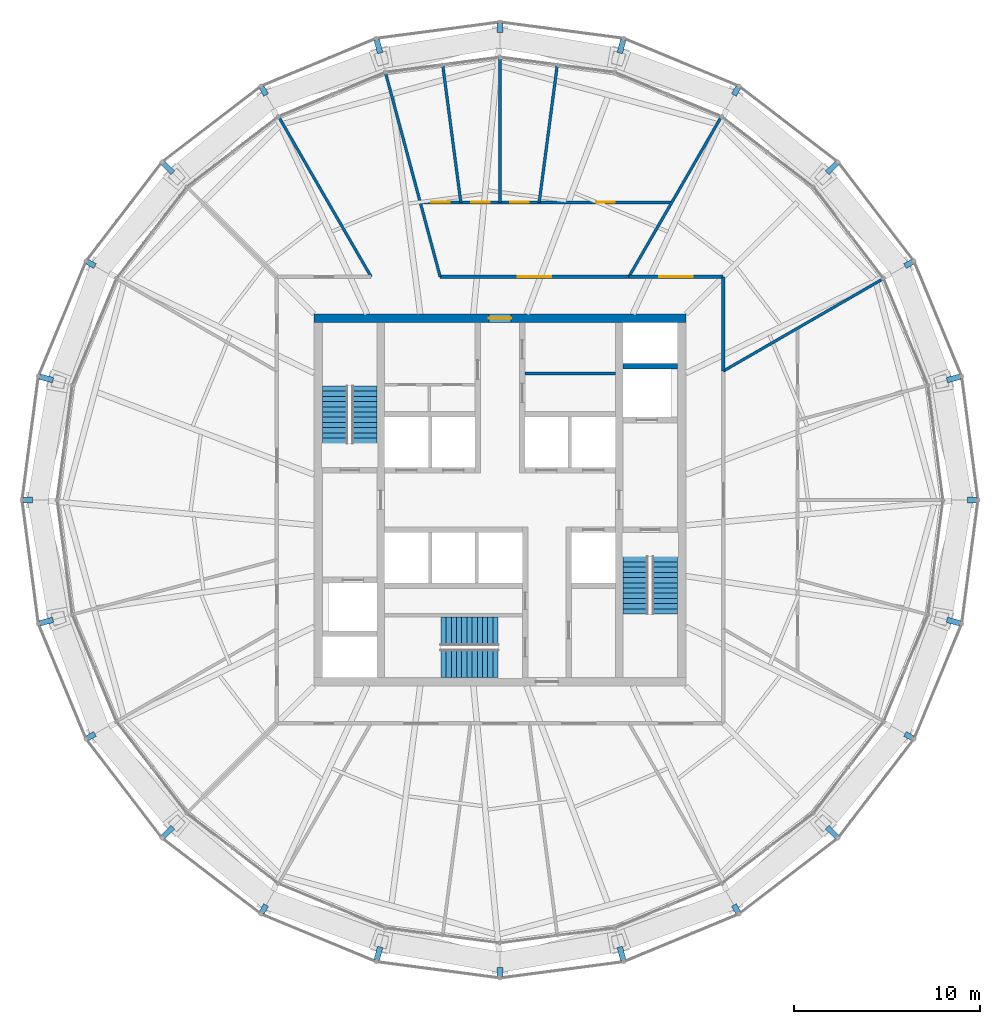
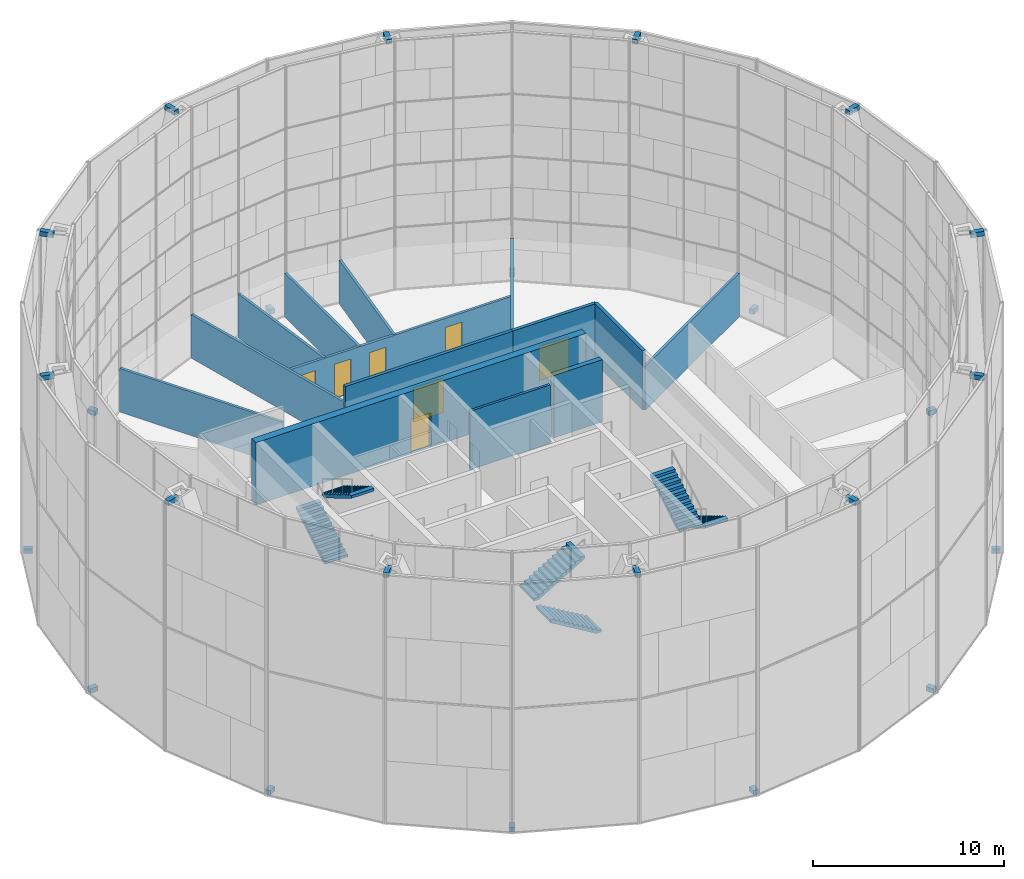
# One storey, part 27 of 28: 24 discrete accessories, 14 walls, 7 doors, 6 stair flights, 7 openings, 3 elements without a shape of their own.
"""IFC4 building model written with IfcOpenShell, lengths in metres."""

from ifc_helpers import new_model, si_unit, direction, frame, frame_2d, origin, origin_2d, place, context, subcontext, project, spatial, polyline, rectangle, outline, extrude, material, layer, layer_set, type_object, element, fill, aggregate, save


model = new_model("IFC4")

# Units and contexts
model_context = context("Model", 3, precision=1e-05, world=origin(), true_north=direction((0.0, 1.0)))
body_context = subcontext(model_context, "Body", "Model", "MODEL_VIEW")
ifc_project = project(units=[si_unit("LENGTHUNIT", "METRE"), si_unit("AREAUNIT", "SQUARE_METRE"), si_unit("VOLUMEUNIT", "CUBIC_METRE"), si_unit("PLANEANGLEUNIT", "RADIAN"), si_unit("MASSUNIT", "GRAM", prefix="KILO")], contexts=[model_context])

# Site, building, storey
site_placement = place(None, origin())
site = spatial("IfcSite", under=ifc_project, at=site_placement, CompositionType="ELEMENT")
building_placement = place(site_placement, origin())
building = spatial("IfcBuilding", under=site, at=building_placement, Name="Golbaran Civic Tower", CompositionType="ELEMENT")
storey_placement = place(building_placement, frame((0.0, 0.0, 183.0)))
storey = spatial("IfcBuildingStorey", under=building, at=storey_placement, Name="L44", CompositionType="ELEMENT", Elevation=183.0)

# Wall
ifc_material_1 = material(Name="Concrete block", Category="concrete")
ifc_layer_1 = layer(ifc_material_1, 0.14990234375, Name="Concrete block")
ifc_layer_set_1 = layer_set([ifc_layer_1], Name="Concrete block")
wall_type_1 = type_object("IfcWallType", Name="BLOCKWORK PARTITION 150", PredefinedType="PARTITIONING", material=ifc_layer_set_1)
wall_1_placement = place(storey_placement, frame((1.35009765625, 6.800048828125, 0.0), z_axis=(0.0, 0.0, 1.0), x_axis=(1.0, 0.0, 0.0)))
element("IfcWall", 1, at=wall_1_placement, inside=storey, type_object=wall_type_1, Name="Toilet block partition TN1 L44", PredefinedType="PARTITIONING", context=body_context, shape_type="SweptSolid", body=[
    extrude(rectangle(XDim=4.849853515625, YDim=0.14990234375, at=frame_2d((2.4248046875, 0.0))), origin(), (0.0, 0.0, 1.0), 3.75),
])

# Wall, opening, door
ifc_material_2 = material(Name="Concrete C50/60", Category="concrete")
ifc_layer_2 = layer(ifc_material_2, 0.449951171875, Name="Concrete C50/60")
ifc_layer_set_2 = layer_set([ifc_layer_2], Name="Concrete C50/60")
wall_type_2 = type_object("IfcWallType", Name="CORE WALL CONCRETE 450", PredefinedType="SOLIDWALL", material=ifc_layer_set_2)
wall_2_placement = place(storey_placement, frame((-10.0, 9.77490234375, 0.0), z_axis=(0.0, 0.0, 1.0), x_axis=(1.0, 0.0, 0.0)))
wall_2 = element("IfcWall", 2, at=wall_2_placement, inside=storey, type_object=wall_type_2, Name="Core wall CN L44", PredefinedType="SOLIDWALL", context=body_context, shape_type="SweptSolid", body=[
    extrude(rectangle(XDim=20.0, YDim=0.449951171875, at=frame_2d((10.0, 0.0))), origin(), (0.0, 0.0, 1.0), 4.0),
])
opening_1_placement = place(wall_2_placement, frame((9.39990234375, 0.0, 0.0)))
opening_1 = element("IfcOpeningElement", 3, at=opening_1_placement, cuts=wall_2, Name="Opening L44.CN", PredefinedType="OPENING", context=body_context, shape_type="SweptSolid", body=[
    extrude(rectangle(XDim=1.199951171875, YDim=2.199951171875, at=frame_2d((0.60009765625, 1.10009765625))), frame((0.0, 0.23486328125, 0.0), z_axis=(0.0, -1.0, 0.0), x_axis=(1.0, 0.0, 0.0)), (0.0, 0.0, 1.0), 0.469970703125),
])
ifc_material_3 = material(Name="Timber door set in steel frame", Category="steel")
door_type_1 = type_object("IfcDoorType", Name="CORE DOOR 1200x2200", OperationType="DOUBLE_DOOR_SINGLE_SWING", PredefinedType="DOOR", material=ifc_material_3)
door_1_placement = place(opening_1_placement, origin())
door_1 = element("IfcDoor", 4, at=door_1_placement, inside=storey, type_object=door_type_1, Name="Core door north", OperationType="DOUBLE_DOOR_SINGLE_SWING", OverallHeight=2.199951171875, OverallWidth=1.199951171875, PredefinedType="DOOR", context=body_context, shape_type="SweptSolid", body=[
    extrude(rectangle(XDim=1.199951171875, YDim=2.199951171875, at=frame_2d((0.60009765625, 1.10009765625))), frame((0.0, 0.02490234375, 0.0), z_axis=(0.0, -1.0, 0.0), x_axis=(1.0, 0.0, 0.0)), (0.0, 0.0, 1.0), 0.050048828125),
])
fill(opening_1, door_1)

# Wall
ifc_material_4 = material(Name="Gypsum board on steel studs, fire-rated", Category="steel")
ifc_layer_3 = layer(ifc_material_4, 0.199951171875, Name="Gypsum board on steel studs, fire-rated")
ifc_layer_set_3 = layer_set([ifc_layer_3], Name="Gypsum board on steel studs, fire-rated")
wall_type_3 = type_object("IfcWallType", Name="CORRIDOR WALL 200", PredefinedType="PARTITIONING", material=ifc_layer_set_3)
wall_3_placement = place(storey_placement, frame((12.0, 6.92822265625, 0.0), z_axis=(0.0, 0.0, 1.0), x_axis=(0.0, 1.0, 0.0)))
element("IfcWall", 5, at=wall_3_placement, inside=storey, type_object=wall_type_3, Name="Corridor wall L44", PredefinedType="PARTITIONING", context=body_context, shape_type="SweptSolid", body=[
    extrude(rectangle(XDim=5.07177734375, YDim=0.199951171875, at=frame_2d((2.535888671875, 0.0))), origin(), (0.0, 0.0, 1.0), 3.800048828125),
])

# Wall, opening, door
wall_4_placement = place(storey_placement, frame((12.0, 12.0, 0.0), z_axis=(0.0, 0.0, 1.0), x_axis=(-1.0, 0.0, 0.0)))
wall_4 = element("IfcWall", 6, at=wall_4_placement, inside=storey, type_object=wall_type_3, Name="Corridor wall L44", PredefinedType="PARTITIONING", context=body_context, shape_type="SweptSolid", body=[
    extrude(rectangle(XDim=5.07177734375, YDim=0.199951171875, at=frame_2d((2.535888671875, 0.0))), origin(), (0.0, 0.0, 1.0), 3.800048828125),
])
opening_2_placement = place(wall_4_placement, frame((1.635986328125, 0.0, 0.0)))
opening_2 = element("IfcOpeningElement", 7, at=opening_2_placement, cuts=wall_4, Name="Opening L44.10", PredefinedType="OPENING", context=body_context, shape_type="SweptSolid", body=[
    extrude(rectangle(XDim=1.800048828125, YDim=2.199951171875, at=frame_2d((0.89990234375, 1.10009765625))), frame((0.0, 0.10986328125, 0.0), z_axis=(0.0, -1.0, 0.0), x_axis=(1.0, 0.0, 0.0)), (0.0, 0.0, 1.0), 0.219970703125),
])
door_type_2 = type_object("IfcDoorType", Name="OFFICE DOUBLE DOOR 1800x2200", OperationType="DOUBLE_DOOR_SINGLE_SWING", PredefinedType="DOOR", material=ifc_material_3)
door_2_placement = place(opening_2_placement, origin())
door_2 = element("IfcDoor", 8, at=door_2_placement, inside=storey, type_object=door_type_2, Name="Open Office door L44", OperationType="DOUBLE_DOOR_SINGLE_SWING", OverallHeight=2.199951171875, OverallWidth=1.800048828125, PredefinedType="DOOR", context=body_context, shape_type="SweptSolid", body=[
    extrude(rectangle(XDim=1.800048828125, YDim=2.199951171875, at=frame_2d((0.89990234375, 1.10009765625))), frame((0.0, 0.02490234375, 0.0), z_axis=(0.0, -1.0, 0.0), x_axis=(1.0, 0.0, 0.0)), (0.0, 0.0, 1.0), 0.050048828125),
])
fill(opening_2, door_2)

wall_5_placement = place(storey_placement, frame((6.92822265625, 12.0, 0.0), z_axis=(0.0, 0.0, 1.0), x_axis=(-1.0, 0.0, 0.0)))
wall_5 = element("IfcWall", 9, at=wall_5_placement, inside=storey, type_object=wall_type_3, Name="Corridor wall L44", PredefinedType="PARTITIONING", context=body_context, shape_type="SweptSolid", body=[
    extrude(rectangle(XDim=10.1435546875, YDim=0.199951171875, at=frame_2d((5.07177734375, 0.0))), origin(), (0.0, 0.0, 1.0), 3.800048828125),
])
opening_3_placement = place(wall_5_placement, frame((4.171875, 0.0, 0.0)))
opening_3 = element("IfcOpeningElement", 10, at=opening_3_placement, cuts=wall_5, Name="Opening L44.11", PredefinedType="OPENING", context=body_context, shape_type="SweptSolid", body=[
    extrude(rectangle(XDim=1.800048828125, YDim=2.199951171875, at=frame_2d((0.89990234375, 1.10009765625))), frame((0.0, 0.10986328125, 0.0), z_axis=(0.0, -1.0, 0.0), x_axis=(1.0, 0.0, 0.0)), (0.0, 0.0, 1.0), 0.219970703125),
])
door_3_placement = place(opening_3_placement, origin())
door_3 = element("IfcDoor", 11, at=door_3_placement, inside=storey, type_object=door_type_2, Name="Secretariat door L44", OperationType="DOUBLE_DOOR_SINGLE_SWING", OverallHeight=2.199951171875, OverallWidth=1.800048828125, PredefinedType="DOOR", context=body_context, shape_type="SweptSolid", body=[
    extrude(rectangle(XDim=1.800048828125, YDim=2.199951171875, at=frame_2d((0.89990234375, 1.10009765625))), frame((0.0, 0.02490234375, 0.0), z_axis=(0.0, -1.0, 0.0), x_axis=(1.0, 0.0, 0.0)), (0.0, 0.0, 1.0), 0.050048828125),
])
fill(opening_3, door_3)

# Walls
ifc_material_5 = material(Name="Gypsum board on steel studs", Category="steel")
ifc_layer_4 = layer(ifc_material_5, 0.14990234375, Name="Gypsum board on steel studs")
ifc_layer_set_4 = layer_set([ifc_layer_4], Name="Gypsum board on steel studs")
wall_type_4 = type_object("IfcWallType", Name="OFFICE PARTITION 150", PredefinedType="PARTITIONING", material=ifc_layer_set_4)
for number, where, z_axis, x_axis, name in (
    (12, (12.0, 6.92822265625, 0.0), (0.0, 0.0, 1.0), (0.866027739639, 0.49999595416, 0.0), "Partition 30 L44"),
    (13, (6.92822265625, 12.0, 0.0), (0.0, 0.0, 1.0), (0.49999595416, 0.866027739639, 0.0), "Partition 60 L44"),
):
    element("IfcWall", number, at=place(storey_placement, frame(where, z_axis=z_axis, x_axis=x_axis)), inside=storey, type_object=wall_type_4, Name=name, PredefinedType="PARTITIONING", context=body_context, shape_type="SweptSolid", body=[
        extrude(rectangle(XDim=9.86474609375, YDim=0.14990234375, at=frame_2d((4.932373046875, 0.0))), origin(), (0.0, 0.0, 1.0), 2.7900390625),
    ])
wall_6_placement = place(storey_placement, frame((-3.21533203125, 12.0, 0.0), z_axis=(0.0, 0.0, 1.0), x_axis=(-0.258817816178, 0.965926155577, 0.0)))
element("IfcWall", 14, at=wall_6_placement, inside=storey, type_object=wall_type_4, Name="Partition 105 L44", PredefinedType="PARTITIONING", context=body_context, shape_type="SweptSolid", body=[
    extrude(rectangle(XDim=11.2978515625, YDim=0.14990234375, at=frame_2d((5.64892578125, 0.0))), origin(), (0.0, 0.0, 1.0), 2.7900390625),
])
wall_7_placement = place(storey_placement, frame((-6.92822265625, 12.0, 0.0), z_axis=(0.0, 0.0, 1.0), x_axis=(-0.49999595416, 0.866027739639, 0.0)))
element("IfcWall", 15, at=wall_7_placement, inside=storey, type_object=wall_type_4, Name="Partition 120 L44", PredefinedType="PARTITIONING", context=body_context, shape_type="SweptSolid", body=[
    extrude(rectangle(XDim=9.86474609375, YDim=0.14990234375, at=frame_2d((4.932373046875, 0.0))), origin(), (0.0, 0.0, 1.0), 2.7900390625),
])

# Wall, openings, doors
wall_8_placement = place(storey_placement, frame((9.237548828125, 16.0, 0.0), z_axis=(0.0, 0.0, 1.0), x_axis=(-1.0, 0.0, 0.0)))
wall_8 = element("IfcWall", 16, at=wall_8_placement, inside=storey, type_object=wall_type_4, Name="Suite partition L44", PredefinedType="PARTITIONING", context=body_context, shape_type="SweptSolid", body=[
    extrude(rectangle(XDim=13.524658203125, YDim=0.14990234375, at=frame_2d((6.76220703125, 0.0))), origin(), (0.0, 0.0, 1.0), 2.7900390625),
])
opening_4_placement = place(wall_8_placement, frame((3.065673828125, 0.0, 0.0)))
opening_4 = element("IfcOpeningElement", 17, at=opening_4_placement, cuts=wall_8, Name="Opening L44.05", PredefinedType="OPENING", context=body_context, shape_type="SweptSolid", body=[
    extrude(rectangle(XDim=1.0, YDim=2.199951171875, at=frame_2d((0.5, 1.10009765625))), frame((0.0, 0.0849609375, 0.0), z_axis=(0.0, -1.0, 0.0), x_axis=(1.0, 0.0, 0.0)), (0.0, 0.0, 1.0), 0.169921875),
])
opening_5_placement = place(wall_8_placement, frame((7.684326171875, 0.0, 0.0)))
opening_5 = element("IfcOpeningElement", 18, at=opening_5_placement, cuts=wall_8, Name="Opening L44.06", PredefinedType="OPENING", context=body_context, shape_type="SweptSolid", body=[
    extrude(rectangle(XDim=1.0, YDim=2.199951171875, at=frame_2d((0.5, 1.10009765625))), frame((0.0, 0.0849609375, 0.0), z_axis=(0.0, -1.0, 0.0), x_axis=(1.0, 0.0, 0.0)), (0.0, 0.0, 1.0), 0.169921875),
])
opening_6_placement = place(wall_8_placement, frame((9.790771484375, 0.0, 0.0)))
opening_6 = element("IfcOpeningElement", 19, at=opening_6_placement, cuts=wall_8, Name="Opening L44.07", PredefinedType="OPENING", context=body_context, shape_type="SweptSolid", body=[
    extrude(rectangle(XDim=1.0, YDim=2.199951171875, at=frame_2d((0.5, 1.10009765625))), frame((0.0, 0.0849609375, 0.0), z_axis=(0.0, -1.0, 0.0), x_axis=(1.0, 0.0, 0.0)), (0.0, 0.0, 1.0), 0.169921875),
])
opening_7_placement = place(wall_8_placement, frame((11.934326171875, 0.0, 0.0)))
opening_7 = element("IfcOpeningElement", 20, at=opening_7_placement, cuts=wall_8, Name="Opening L44.08", PredefinedType="OPENING", context=body_context, shape_type="SweptSolid", body=[
    extrude(rectangle(XDim=1.0, YDim=2.199951171875, at=frame_2d((0.5, 1.10009765625))), frame((0.0, 0.0849609375, 0.0), z_axis=(0.0, -1.0, 0.0), x_axis=(1.0, 0.0, 0.0)), (0.0, 0.0, 1.0), 0.169921875),
])
door_type_3 = type_object("IfcDoorType", Name="OFFICE DOOR 1000x2200", OperationType="SINGLE_SWING_LEFT", PredefinedType="DOOR", material=ifc_material_3)
door_4_placement = place(opening_4_placement, origin())
door_4 = element("IfcDoor", 21, at=door_4_placement, inside=storey, type_object=door_type_3, Name="Director's Office door L44", OperationType="SINGLE_SWING_LEFT", OverallHeight=2.199951171875, OverallWidth=1.0, PredefinedType="DOOR", context=body_context, shape_type="SweptSolid", body=[
    extrude(rectangle(XDim=1.0, YDim=2.199951171875, at=frame_2d((0.5, 1.10009765625))), frame((0.0, 0.02490234375, 0.0), z_axis=(0.0, -1.0, 0.0), x_axis=(1.0, 0.0, 0.0)), (0.0, 0.0, 1.0), 0.050048828125),
])
fill(opening_4, door_4)
door_5_placement = place(opening_5_placement, origin())
door_5 = element("IfcDoor", 22, at=door_5_placement, inside=storey, type_object=door_type_3, Name="Director's Office door L44", OperationType="SINGLE_SWING_RIGHT", OverallHeight=2.199951171875, OverallWidth=1.0, PredefinedType="DOOR", context=body_context, shape_type="SweptSolid", body=[
    extrude(rectangle(XDim=1.0, YDim=2.199951171875, at=frame_2d((0.5, 1.10009765625))), frame((0.0, 0.02490234375, 0.0), z_axis=(0.0, -1.0, 0.0), x_axis=(1.0, 0.0, 0.0)), (0.0, 0.0, 1.0), 0.050048828125),
])
fill(opening_5, door_5)
door_6_placement = place(opening_6_placement, origin())
door_6 = element("IfcDoor", 23, at=door_6_placement, inside=storey, type_object=door_type_3, Name="Office door L44", OperationType="SINGLE_SWING_RIGHT", OverallHeight=2.199951171875, OverallWidth=1.0, PredefinedType="DOOR", context=body_context, shape_type="SweptSolid", body=[
    extrude(rectangle(XDim=1.0, YDim=2.199951171875, at=frame_2d((0.5, 1.10009765625))), frame((0.0, 0.02490234375, 0.0), z_axis=(0.0, -1.0, 0.0), x_axis=(1.0, 0.0, 0.0)), (0.0, 0.0, 1.0), 0.050048828125),
])
fill(opening_6, door_6)
door_7_placement = place(opening_7_placement, origin())
door_7 = element("IfcDoor", 24, at=door_7_placement, inside=storey, type_object=door_type_3, Name="Office door L44", OperationType="SINGLE_SWING_RIGHT", OverallHeight=2.199951171875, OverallWidth=1.0, PredefinedType="DOOR", context=body_context, shape_type="SweptSolid", body=[
    extrude(rectangle(XDim=1.0, YDim=2.199951171875, at=frame_2d((0.5, 1.10009765625))), frame((0.0, 0.02490234375, 0.0), z_axis=(0.0, -1.0, 0.0), x_axis=(1.0, 0.0, 0.0)), (0.0, 0.0, 1.0), 0.050048828125),
])
fill(opening_7, door_7)

# Walls
wall_9_placement = place(storey_placement, frame((2.1064453125, 16.0, 0.0), z_axis=(0.0, 0.0, 1.0), x_axis=(0.130534093561, 0.991443821111, 0.0)))
element("IfcWall", 25, at=wall_9_placement, inside=storey, type_object=wall_type_4, Name="Partition 82.5 L44", PredefinedType="PARTITIONING", context=body_context, shape_type="SweptSolid", body=[
    extrude(rectangle(XDim=7.38037109375, YDim=0.14990234375, at=frame_2d((3.690185546875, 0.0))), origin(), (0.0, 0.0, 1.0), 2.7900390625),
])
wall_10_placement = place(storey_placement, frame((0.0, 16.0, 0.0), z_axis=(0.0, 0.0, 1.0), x_axis=(0.0, 1.0, 0.0)))
element("IfcWall", 26, at=wall_10_placement, inside=storey, type_object=wall_type_4, Name="Partition 90 L44", PredefinedType="PARTITIONING", context=body_context, shape_type="SweptSolid", body=[
    extrude(rectangle(XDim=7.72119140625, YDim=0.14990234375, at=frame_2d((3.860595703125, 0.0))), origin(), (0.0, 0.0, 1.0), 2.7900390625),
])
wall_11_placement = place(storey_placement, frame((-2.1064453125, 16.0, 0.0), z_axis=(0.0, 0.0, 1.0), x_axis=(-0.130534093561, 0.991443821111, 0.0)))
element("IfcWall", 27, at=wall_11_placement, inside=storey, type_object=wall_type_4, Name="Partition 97.5 L44", PredefinedType="PARTITIONING", context=body_context, shape_type="SweptSolid", body=[
    extrude(rectangle(XDim=7.38037109375, YDim=0.14990234375, at=frame_2d((3.690185546875, 0.0))), origin(), (0.0, 0.0, 1.0), 2.7900390625),
])
ifc_layer_5 = layer(ifc_material_2, 0.300048828125, Name="Concrete C50/60")
ifc_layer_set_5 = layer_set([ifc_layer_5], Name="Concrete C50/60")
wall_type_5 = type_object("IfcWallType", Name="SHAFT WALL CONCRETE 300", PredefinedType="SOLIDWALL", material=ifc_layer_set_5)
wall_12_placement = place(storey_placement, frame((6.60009765625, 7.199951171875, 0.0), z_axis=(0.0, 0.0, 1.0), x_axis=(1.0, 0.0, 0.0)))
element("IfcWall", 28, at=wall_12_placement, inside=storey, type_object=wall_type_5, Name="Core wall XE3 L44", PredefinedType="SOLIDWALL", context=body_context, shape_type="SweptSolid", body=[
    extrude(rectangle(XDim=2.949951171875, YDim=0.300048828125, at=frame_2d((1.47509765625, 0.0))), origin(), (0.0, 0.0, 1.0), 4.0),
])

# Stair, stair flights
ifc_material_6 = material(Name="Concrete C35/45", Category="concrete")
stair_type_1 = type_object("IfcStairType", Name="EXIT STAIR 2950 x 7800, 4000 RISE", PredefinedType="HALF_TURN_STAIR", material=ifc_material_6)
stair_1_placement = place(storey_placement, origin())
stair_1 = element("IfcStair", 29, at=stair_1_placement, inside=storey, type_object=stair_type_1, Name="Stair S1 L44", PredefinedType="HALF_TURN_STAIR")
stair_flight_type_1 = type_object("IfcStairFlightType", Name="STAIR FLIGHT 1375 WIDE", PredefinedType="STRAIGHT", material=ifc_material_6)
stair_flight_1_placement = place(storey_placement, frame((-8.862548828125, 3.050048828125, 0.0), z_axis=(0.0, 0.0, 1.0), x_axis=(0.0, 1.0, 0.0)))
stair_flight_1 = element("IfcStairFlight", 30, at=stair_flight_1_placement, type_object=stair_flight_type_1, Name="ST29578-40 flight 1", NumberOfRisers=12, NumberOfTreads=11, PredefinedType="STRAIGHT", RiserHeight=0.166666667, TreadLength=0.28, context=body_context, shape_type="SweptSolid", body=[
    extrude(outline(polyline([(0.0, 0.0), (0.0, 0.166748046875), (0.280029296875, 0.166748046875), (0.280029296875, 0.333251953125), (0.56005859375, 0.333251953125), (0.56005859375, 0.5), (0.840087890625, 0.5), (0.840087890625, 0.666748046875), (1.1201171875, 0.666748046875), (1.1201171875, 0.833251953125), (1.39990234375, 0.833251953125), (1.39990234375, 1.0), (1.679931640625, 1.0), (1.679931640625, 1.166748046875), (1.9599609375, 1.166748046875), (1.9599609375, 1.333251953125), (2.239990234375, 1.333251953125), (2.239990234375, 1.5), (2.52001953125, 1.5), (2.52001953125, 1.666748046875), (2.800048828125, 1.666748046875), (2.800048828125, 1.833251953125), (3.080078125, 1.833251953125), (3.080078125, 2.0), (3.080078125, 1.658935546875), (0.29296875, 0.0), (0.0, 0.0)])), frame((0.0, 0.6875, 0.0), z_axis=(0.0, -1.0, 0.0), x_axis=(1.0, 0.0, 0.0)), (0.0, 0.0, 1.0), 1.375),
])
stair_flight_2_placement = place(storey_placement, frame((-7.28759765625, 6.1298828125, 2.0), z_axis=(0.0, 0.0, 1.0), x_axis=(0.0, -1.0, 0.0)))
stair_flight_2 = element("IfcStairFlight", 31, at=stair_flight_2_placement, type_object=stair_flight_type_1, Name="ST29578-40 flight 2", NumberOfRisers=12, NumberOfTreads=11, PredefinedType="STRAIGHT", RiserHeight=0.166666667, TreadLength=0.28, context=body_context, shape_type="SweptSolid", body=[
    extrude(outline(polyline([(0.0, 0.0), (0.0, 0.166748046875), (0.280029296875, 0.166748046875), (0.280029296875, 0.333251953125), (0.56005859375, 0.333251953125), (0.56005859375, 0.5), (0.840087890625, 0.5), (0.840087890625, 0.666748046875), (1.1201171875, 0.666748046875), (1.1201171875, 0.833251953125), (1.39990234375, 0.833251953125), (1.39990234375, 1.0), (1.679931640625, 1.0), (1.679931640625, 1.166748046875), (1.9599609375, 1.166748046875), (1.9599609375, 1.333251953125), (2.239990234375, 1.333251953125), (2.239990234375, 1.5), (2.52001953125, 1.5), (2.52001953125, 1.666748046875), (2.800048828125, 1.666748046875), (2.800048828125, 1.833251953125), (3.080078125, 1.833251953125), (3.080078125, 2.0), (3.080078125, 1.658935546875), (0.29296875, 0.0), (0.0, 0.0)])), frame((0.0, 0.6875, 0.0), z_axis=(0.0, -1.0, 0.0), x_axis=(1.0, 0.0, 0.0)), (0.0, 0.0, 1.0), 1.375),
])
aggregate(stair_1, [stair_flight_1, stair_flight_2])

stair_2_placement = place(storey_placement, origin())
stair_2 = element("IfcStair", 32, at=stair_2_placement, inside=storey, type_object=stair_type_1, Name="Stair S2 L44", PredefinedType="HALF_TURN_STAIR")
stair_flight_3_placement = place(storey_placement, frame((8.862548828125, -3.050048828125, 0.0), z_axis=(0.0, 0.0, 1.0), x_axis=(0.0, -1.0, 0.0)))
stair_flight_3 = element("IfcStairFlight", 33, at=stair_flight_3_placement, type_object=stair_flight_type_1, Name="ST29578-40 flight 1", NumberOfRisers=12, NumberOfTreads=11, PredefinedType="STRAIGHT", RiserHeight=0.166666667, TreadLength=0.28, context=body_context, shape_type="SweptSolid", body=[
    extrude(outline(polyline([(0.0, 0.0), (0.0, 0.166748046875), (0.280029296875, 0.166748046875), (0.280029296875, 0.333251953125), (0.56005859375, 0.333251953125), (0.56005859375, 0.5), (0.840087890625, 0.5), (0.840087890625, 0.666748046875), (1.1201171875, 0.666748046875), (1.1201171875, 0.833251953125), (1.39990234375, 0.833251953125), (1.39990234375, 1.0), (1.679931640625, 1.0), (1.679931640625, 1.166748046875), (1.9599609375, 1.166748046875), (1.9599609375, 1.333251953125), (2.239990234375, 1.333251953125), (2.239990234375, 1.5), (2.52001953125, 1.5), (2.52001953125, 1.666748046875), (2.800048828125, 1.666748046875), (2.800048828125, 1.833251953125), (3.080078125, 1.833251953125), (3.080078125, 2.0), (3.080078125, 1.658935546875), (0.29296875, 0.0), (0.0, 0.0)])), frame((0.0, 0.6875, 0.0), z_axis=(0.0, -1.0, 0.0), x_axis=(1.0, 0.0, 0.0)), (0.0, 0.0, 1.0), 1.375),
])
stair_flight_4_placement = place(storey_placement, frame((7.28759765625, -6.1298828125, 2.0), z_axis=(0.0, 0.0, 1.0), x_axis=(0.0, 1.0, 0.0)))
stair_flight_4 = element("IfcStairFlight", 34, at=stair_flight_4_placement, type_object=stair_flight_type_1, Name="ST29578-40 flight 2", NumberOfRisers=12, NumberOfTreads=11, PredefinedType="STRAIGHT", RiserHeight=0.166666667, TreadLength=0.28, context=body_context, shape_type="SweptSolid", body=[
    extrude(outline(polyline([(0.0, 0.0), (0.0, 0.166748046875), (0.280029296875, 0.166748046875), (0.280029296875, 0.333251953125), (0.56005859375, 0.333251953125), (0.56005859375, 0.5), (0.840087890625, 0.5), (0.840087890625, 0.666748046875), (1.1201171875, 0.666748046875), (1.1201171875, 0.833251953125), (1.39990234375, 0.833251953125), (1.39990234375, 1.0), (1.679931640625, 1.0), (1.679931640625, 1.166748046875), (1.9599609375, 1.166748046875), (1.9599609375, 1.333251953125), (2.239990234375, 1.333251953125), (2.239990234375, 1.5), (2.52001953125, 1.5), (2.52001953125, 1.666748046875), (2.800048828125, 1.666748046875), (2.800048828125, 1.833251953125), (3.080078125, 1.833251953125), (3.080078125, 2.0), (3.080078125, 1.658935546875), (0.29296875, 0.0), (0.0, 0.0)])), frame((0.0, 0.6875, 0.0), z_axis=(0.0, -1.0, 0.0), x_axis=(1.0, 0.0, 0.0)), (0.0, 0.0, 1.0), 1.375),
])
aggregate(stair_2, [stair_flight_3, stair_flight_4])

stair_type_2 = type_object("IfcStairType", Name="EXIT STAIR 3250 x 7400, 4000 RISE", PredefinedType="HALF_TURN_STAIR", material=ifc_material_6)
stair_3_placement = place(storey_placement, origin())
stair_3 = element("IfcStair", 35, at=stair_3_placement, inside=storey, type_object=stair_type_2, Name="Stair S3 L44", PredefinedType="HALF_TURN_STAIR")
stair_flight_type_2 = type_object("IfcStairFlightType", Name="STAIR FLIGHT 1525 WIDE", PredefinedType="STRAIGHT", material=ifc_material_6)
stair_flight_5_placement = place(storey_placement, frame((-0.10009765625, -8.78759765625, 0.0), z_axis=(0.0, 0.0, 1.0), x_axis=(-1.0, 0.0, 0.0)))
stair_flight_5 = element("IfcStairFlight", 36, at=stair_flight_5_placement, type_object=stair_flight_type_2, Name="ST32574-40 flight 1", NumberOfRisers=12, NumberOfTreads=11, PredefinedType="STRAIGHT", RiserHeight=0.166666667, TreadLength=0.28, context=body_context, shape_type="SweptSolid", body=[
    extrude(outline(polyline([(0.0, 0.0), (0.0, 0.166748046875), (0.280029296875, 0.166748046875), (0.280029296875, 0.333251953125), (0.56005859375, 0.333251953125), (0.56005859375, 0.5), (0.840087890625, 0.5), (0.840087890625, 0.666748046875), (1.1201171875, 0.666748046875), (1.1201171875, 0.833251953125), (1.39990234375, 0.833251953125), (1.39990234375, 1.0), (1.679931640625, 1.0), (1.679931640625, 1.166748046875), (1.9599609375, 1.166748046875), (1.9599609375, 1.333251953125), (2.239990234375, 1.333251953125), (2.239990234375, 1.5), (2.52001953125, 1.5), (2.52001953125, 1.666748046875), (2.800048828125, 1.666748046875), (2.800048828125, 1.833251953125), (3.080078125, 1.833251953125), (3.080078125, 2.0), (3.080078125, 1.658935546875), (0.29296875, 0.0), (0.0, 0.0)])), frame((0.0, 0.762451171875, 0.0), z_axis=(0.0, -1.0, 0.0), x_axis=(1.0, 0.0, 0.0)), (0.0, 0.0, 1.0), 1.52490234375),
])
stair_flight_6_placement = place(storey_placement, frame((-3.179931640625, -7.0625, 2.0), z_axis=(0.0, 0.0, 1.0), x_axis=(1.0, 0.0, 0.0)))
stair_flight_6 = element("IfcStairFlight", 37, at=stair_flight_6_placement, type_object=stair_flight_type_2, Name="ST32574-40 flight 2", NumberOfRisers=12, NumberOfTreads=11, PredefinedType="STRAIGHT", RiserHeight=0.166666667, TreadLength=0.28, context=body_context, shape_type="SweptSolid", body=[
    extrude(outline(polyline([(0.0, 0.0), (0.0, 0.166748046875), (0.280029296875, 0.166748046875), (0.280029296875, 0.333251953125), (0.56005859375, 0.333251953125), (0.56005859375, 0.5), (0.840087890625, 0.5), (0.840087890625, 0.666748046875), (1.1201171875, 0.666748046875), (1.1201171875, 0.833251953125), (1.39990234375, 0.833251953125), (1.39990234375, 1.0), (1.679931640625, 1.0), (1.679931640625, 1.166748046875), (1.9599609375, 1.166748046875), (1.9599609375, 1.333251953125), (2.239990234375, 1.333251953125), (2.239990234375, 1.5), (2.52001953125, 1.5), (2.52001953125, 1.666748046875), (2.800048828125, 1.666748046875), (2.800048828125, 1.833251953125), (3.080078125, 1.833251953125), (3.080078125, 2.0), (3.080078125, 1.658935546875), (0.29296875, 0.0), (0.0, 0.0)])), frame((0.0, 0.762451171875, 0.0), z_axis=(0.0, -1.0, 0.0), x_axis=(1.0, 0.0, 0.0)), (0.0, 0.0, 1.0), 1.52490234375),
])
aggregate(stair_3, [stair_flight_5, stair_flight_6])

# Discrete accessories
ifc_material_7 = material(Name="Steel S355", Category="steel")
discrete_accessory_type = type_object("IfcDiscreteAccessoryType", Name="OUTER SKIN BRACKET", PredefinedType="BRACKET", material=ifc_material_7)
for number, where, z_axis, x_axis, name in (
    (38, (25.382080078125, 0.0, -0.7099609375), (0.0, 0.0, 1.0), (1.0, 0.0, 0.0), "Outer skin bracket L44 node 1"),
    (39, (21.9814453125, 12.69091796875, -0.7099609375), (0.0, 0.0, 1.0), (0.866025403784, 0.5, 0.0), "Outer skin bracket L44 node 2"),
    (40, (12.69091796875, 21.9814453125, -0.7099609375), (0.0, 0.0, 1.0), (0.5, 0.866025403784, 0.0), "Outer skin bracket L44 node 3"),
    (41, (0.0, 25.382080078125, -0.7099609375), (0.0, 0.0, 1.0), (0.0, 1.0, 0.0), "Outer skin bracket L44 node 4"),
    (42, (-12.69091796875, 21.9814453125, -0.7099609375), (0.0, 0.0, 1.0), (-0.5, 0.866025403784, 0.0), "Outer skin bracket L44 node 5"),
    (43, (-21.9814453125, 12.69091796875, -0.7099609375), (0.0, 0.0, 1.0), (-0.866025403784, 0.5, 0.0), "Outer skin bracket L44 node 6"),
    (44, (-25.382080078125, 0.0, -0.7099609375), (0.0, 0.0, 1.0), (-1.0, 0.0, 0.0), "Outer skin bracket L44 node 7"),
    (45, (-21.9814453125, -12.69091796875, -0.7099609375), (0.0, 0.0, 1.0), (-0.866025403784, -0.5, 0.0), "Outer skin bracket L44 node 8"),
    (46, (-12.69091796875, -21.9814453125, -0.7099609375), (0.0, 0.0, 1.0), (-0.5, -0.866025403784, 0.0), "Outer skin bracket L44 node 9"),
    (47, (0.0, -25.382080078125, -0.7099609375), (0.0, 0.0, 1.0), (0.0, -1.0, 0.0), "Outer skin bracket L44 node 10"),
    (48, (12.69091796875, -21.9814453125, -0.7099609375), (0.0, 0.0, 1.0), (0.5, -0.866025403784, 0.0), "Outer skin bracket L44 node 11"),
    (49, (21.9814453125, -12.69091796875, -0.7099609375), (0.0, 0.0, 1.0), (0.866025403784, -0.5, 0.0), "Outer skin bracket L44 node 12"),
):
    element("IfcDiscreteAccessory", number, at=place(storey_placement, frame(where, z_axis=z_axis, x_axis=x_axis)), inside=storey, type_object=discrete_accessory_type, Name=name, PredefinedType="BRACKET", context=body_context, shape_type="SweptSolid", body=[
        extrude(rectangle(XDim=0.469970703125, YDim=0.300048828125, at=origin_2d()), origin(), (0.0, 0.0, 1.0), 0.300048828125),
    ])
for number, where, z_axis, x_axis, name in (
    (50, (24.38720703125, 6.534423828125, 14.98974609375), (0.0, 0.0, 1.0), (0.965925826289, 0.258819045103, 0.0), "Outer skin head bracket L44 node 1"),
    (51, (17.852783203125, 17.852783203125, 14.98974609375), (0.0, 0.0, 1.0), (0.707106781187, 0.707106781187, 0.0), "Outer skin head bracket L44 node 2"),
    (52, (6.534423828125, 24.38720703125, 14.98974609375), (0.0, 0.0, 1.0), (0.258819045103, 0.965925826289, 0.0), "Outer skin head bracket L44 node 3"),
    (53, (-6.534423828125, 24.38720703125, 14.98974609375), (0.0, 0.0, 1.0), (-0.258819045103, 0.965925826289, 0.0), "Outer skin head bracket L44 node 4"),
    (54, (-17.852783203125, 17.852783203125, 14.98974609375), (0.0, 0.0, 1.0), (-0.707106781187, 0.707106781187, 0.0), "Outer skin head bracket L44 node 5"),
    (55, (-24.38720703125, 6.534423828125, 14.98974609375), (0.0, 0.0, 1.0), (-0.965925826289, 0.258819045103, 0.0), "Outer skin head bracket L44 node 6"),
    (56, (-24.38720703125, -6.534423828125, 14.98974609375), (0.0, 0.0, 1.0), (-0.965925826289, -0.258819045103, 0.0), "Outer skin head bracket L44 node 7"),
    (57, (-17.852783203125, -17.852783203125, 14.98974609375), (0.0, 0.0, 1.0), (-0.707106781187, -0.707106781187, 0.0), "Outer skin head bracket L44 node 8"),
    (58, (-6.534423828125, -24.38720703125, 14.98974609375), (0.0, 0.0, 1.0), (-0.258819045103, -0.965925826289, 0.0), "Outer skin head bracket L44 node 9"),
    (59, (6.534423828125, -24.38720703125, 14.98974609375), (0.0, 0.0, 1.0), (0.258819045103, -0.965925826289, 0.0), "Outer skin head bracket L44 node 10"),
    (60, (17.852783203125, -17.852783203125, 14.98974609375), (0.0, 0.0, 1.0), (0.707106781187, -0.707106781187, 0.0), "Outer skin head bracket L44 node 11"),
    (61, (24.38720703125, -6.534423828125, 14.98974609375), (0.0, 0.0, 1.0), (0.965925826289, -0.258819045103, 0.0), "Outer skin head bracket L44 node 12"),
):
    element("IfcDiscreteAccessory", number, at=place(storey_placement, frame(where, z_axis=z_axis, x_axis=x_axis)), inside=storey, type_object=discrete_accessory_type, Name=name, PredefinedType="BRACKET", context=body_context, shape_type="SweptSolid", body=[
        extrude(rectangle(XDim=0.739013671875, YDim=0.300048828125, at=origin_2d()), origin(), (0.0, 0.0, 1.0), 0.300048828125),
    ])

save(model, "model.ifc")
